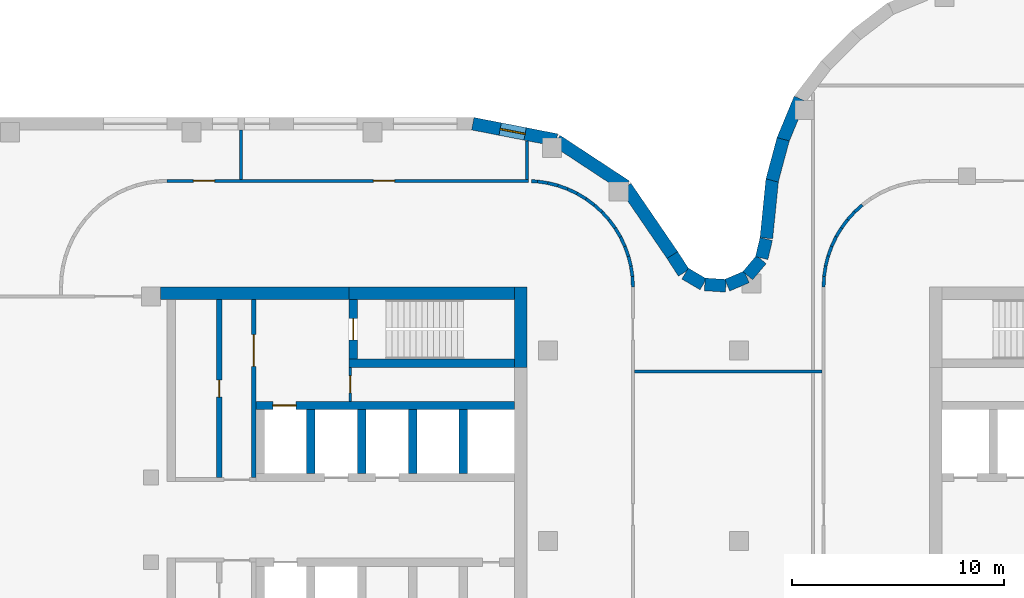
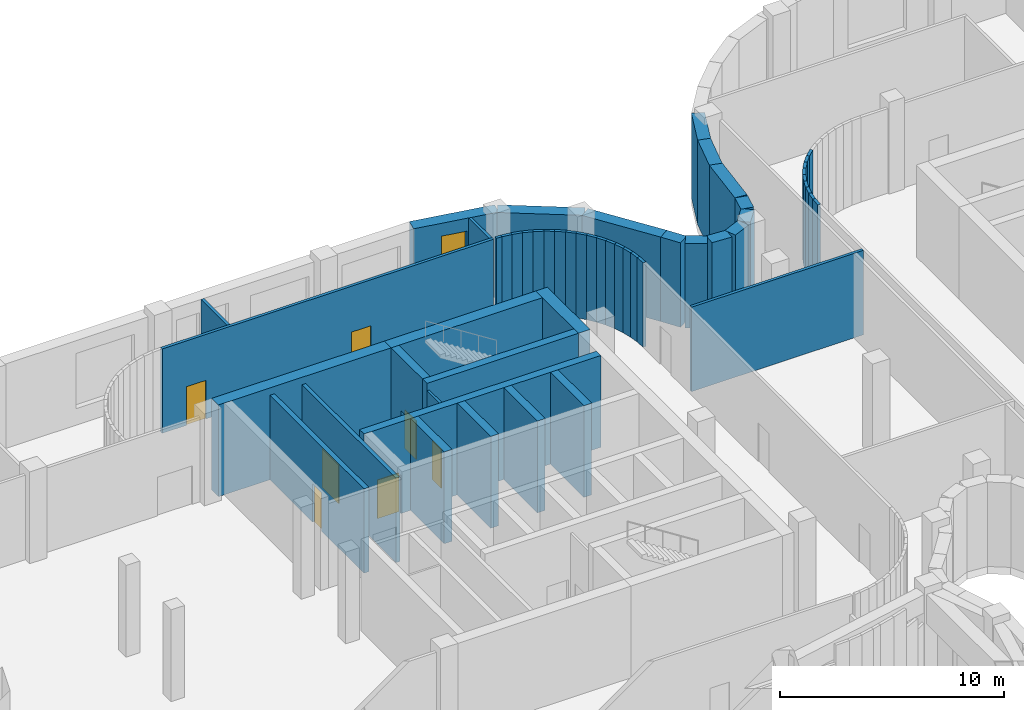
# One storey, part 13 of 20: 54 walls, 7 doors, 1 window, 8 openings.
"""IFC4 building model written with IfcOpenShell, lengths in metres."""

from ifc_helpers import new_model, si_unit, direction, frame, frame_2d, origin, place, context, subcontext, project, spatial, rectangle, extrude, material, layer, layer_set, type_object, element, fill, save


model = new_model("IFC4")

# Units and contexts
model_context = context("Model", 3, precision=1e-05, world=origin(), true_north=direction((0.0, 1.0)))
body_context = subcontext(model_context, "Body", "Model", "MODEL_VIEW")
ifc_project = project(units=[si_unit("LENGTHUNIT", "METRE"), si_unit("AREAUNIT", "SQUARE_METRE"), si_unit("VOLUMEUNIT", "CUBIC_METRE"), si_unit("PLANEANGLEUNIT", "RADIAN"), si_unit("MASSUNIT", "GRAM", prefix="KILO")], contexts=[model_context])

# Site, building, storey
site_placement = place(None, origin())
site = spatial("IfcSite", under=ifc_project, at=site_placement, CompositionType="ELEMENT")
building_placement = place(site_placement, origin())
building = spatial("IfcBuilding", under=site, at=building_placement, Name="Skarvind Civic Tower", CompositionType="ELEMENT")
storey_placement = place(building_placement, frame((0.0, 0.0, 17.5)))
storey = spatial("IfcBuildingStorey", under=building, at=storey_placement, Name="L03", CompositionType="ELEMENT", Elevation=17.5)

# Wall, opening, door
ifc_material_1 = material(Name="Fire-rated masonry partition", Category="masonry")
ifc_layer_1 = layer(ifc_material_1, 0.199951171875)
ifc_layer_set_1 = layer_set([ifc_layer_1], Name="Core enclosure wall 200")
wall_type_1 = type_object("IfcWallType", Name="Core enclosure wall 200", PredefinedType="PARTITIONING", material=ifc_layer_set_1)
wall_1_placement = place(storey_placement, frame((95.10009765625, 130.0, 0.0), z_axis=(0.0, 0.0, 1.0), x_axis=(0.0, 1.0, 0.0)))
wall_1 = element("IfcWall", 1, at=wall_1_placement, inside=storey, type_object=wall_type_1, Name="Core wall C1", PredefinedType="PARTITIONING", context=body_context, shape_type="SweptSolid", body=[
    extrude(rectangle(XDim=8.39990234375, YDim=0.199951171875, at=frame_2d((4.199951171875, 0.0))), origin(), (0.0, 0.0, 1.0), 4.60009765625),
])
opening_1_placement = place(wall_1_placement, frame((5.25, 0.0, 0.0)))
opening_1 = element("IfcOpeningElement", 2, at=opening_1_placement, cuts=wall_1, Name="Opening D-L03-C1-12", PredefinedType="OPENING", context=body_context, shape_type="SweptSolid", body=[
    extrude(rectangle(XDim=1.5, YDim=2.10009765625, at=frame_2d((0.75, 1.050048828125))), frame((0.0, 0.10986328125, 0.0), z_axis=(0.0, -1.0, 0.0), x_axis=(1.0, 0.0, 0.0)), (0.0, 0.0, 1.0), 0.219970703125),
])
ifc_material_2 = material(Name="Fire-rated steel door", Category="steel")
door_type_1 = type_object("IfcDoorType", Name="Fire door 1500", OperationType="NOTDEFINED", PredefinedType="DOOR", material=ifc_material_2)
door_1_placement = place(opening_1_placement, origin())
door_1 = element("IfcDoor", 3, at=door_1_placement, inside=storey, type_object=door_type_1, Name="Fire door", OperationType="DOUBLE_DOOR_SINGLE_SWING", OverallHeight=2.10009765625, OverallWidth=1.5, PredefinedType="DOOR", context=body_context, shape_type="SweptSolid", body=[
    extrude(rectangle(XDim=1.5, YDim=2.10009765625, at=frame_2d((0.75, 1.050048828125))), frame((0.0, 0.02490234375, 0.0), z_axis=(0.0, -1.0, 0.0), x_axis=(1.0, 0.0, 0.0)), (0.0, 0.0, 1.0), 0.050048828125),
])
fill(opening_1, door_1)

# Wall
ifc_material_3 = material(Name="Concrete C80", Category="concrete")
ifc_layer_2 = layer(ifc_material_3, 0.39990234375)
ifc_layer_set_2 = layer_set([ifc_layer_2], Name="Core wall 400 C80")
wall_type_2 = type_object("IfcWallType", Name="Core wall 400 C80", PredefinedType="SHEAR", material=ifc_layer_set_2)
wall_2_placement = place(storey_placement, frame((107.39990234375, 135.39990234375, 0.0), z_axis=(0.0, 0.0, 1.0), x_axis=(-1.0, 0.0, 0.0)))
element("IfcWall", 4, at=wall_2_placement, inside=storey, type_object=wall_type_2, Name="Core wall C1 south stair inner L03", PredefinedType="SHEAR", context=body_context, shape_type="SweptSolid", body=[
    extrude(rectangle(XDim=7.7998046875, YDim=0.39990234375, at=frame_2d((3.89990234375, 0.0))), origin(), (0.0, 0.0, 1.0), 5.0),
])

# Wall, opening, door
wall_3_placement = place(storey_placement, frame((99.800048828125, 138.39990234375, 0.0), z_axis=(0.0, 0.0, 1.0), x_axis=(0.0, -1.0, 0.0)))
wall_3 = element("IfcWall", 5, at=wall_3_placement, inside=storey, type_object=wall_type_2, Name="Core wall C1 south stair end L03", PredefinedType="SHEAR", context=body_context, shape_type="SweptSolid", body=[
    extrude(rectangle(XDim=2.7998046875, YDim=0.39990234375, at=frame_2d((1.39990234375, 0.0))), origin(), (0.0, 0.0, 1.0), 5.0),
])
opening_2_placement = place(wall_3_placement, frame((0.89990234375, 0.0, 0.0)))
opening_2 = element("IfcOpeningElement", 6, at=opening_2_placement, cuts=wall_3, Name="Opening D-L03-C1-13", PredefinedType="OPENING", context=body_context, shape_type="SweptSolid", body=[
    extrude(rectangle(XDim=1.0, YDim=2.10009765625, at=frame_2d((0.5, 1.050048828125))), frame((0.0, 0.2099609375, 0.0), z_axis=(0.0, -1.0, 0.0), x_axis=(1.0, 0.0, 0.0)), (0.0, 0.0, 1.0), 0.419921875),
])
door_type_2 = type_object("IfcDoorType", Name="Fire door 1000", OperationType="NOTDEFINED", PredefinedType="DOOR", material=ifc_material_2)
door_2_placement = place(opening_2_placement, origin())
door_2 = element("IfcDoor", 7, at=door_2_placement, inside=storey, type_object=door_type_2, Name="Fire door", OperationType="SINGLE_SWING_RIGHT", OverallHeight=2.10009765625, OverallWidth=1.0, PredefinedType="DOOR", context=body_context, shape_type="SweptSolid", body=[
    extrude(rectangle(XDim=1.0, YDim=2.10009765625, at=frame_2d((0.5, 1.050048828125))), frame((0.0, 0.02490234375, 0.0), z_axis=(0.0, -1.0, 0.0), x_axis=(1.0, 0.0, 0.0)), (0.0, 0.0, 1.0), 0.050048828125),
])
fill(opening_2, door_2)

wall_4_placement = place(storey_placement, frame((107.39990234375, 133.39990234375, 0.0), z_axis=(0.0, 0.0, 1.0), x_axis=(-1.0, 0.0, 0.0)))
wall_4 = element("IfcWall", 8, at=wall_4_placement, inside=storey, type_object=wall_type_2, Name="Core wall C1 south lift row back L03", PredefinedType="SHEAR", context=body_context, shape_type="SweptSolid", body=[
    extrude(rectangle(XDim=12.199951171875, YDim=0.39990234375, at=frame_2d((6.10009765625, 0.0))), origin(), (0.0, 0.0, 1.0), 5.0),
])
opening_3_placement = place(wall_4_placement, frame((10.300048828125, 0.0, 0.0)))
opening_3 = element("IfcOpeningElement", 9, at=opening_3_placement, cuts=wall_4, Name="Opening LD05110", PredefinedType="OPENING", context=body_context, shape_type="SweptSolid", body=[
    extrude(rectangle(XDim=1.10009765625, YDim=2.10009765625, at=frame_2d((0.550048828125, 1.050048828125))), frame((0.0, 0.2099609375, 0.0), z_axis=(0.0, -1.0, 0.0), x_axis=(1.0, 0.0, 0.0)), (0.0, 0.0, 1.0), 0.419921875),
])
ifc_material_4 = material(Name="Stainless steel landing door", Category="steel")
door_type_3 = type_object("IfcDoorType", Name="Lift landing door 1100", OperationType="DOUBLE_DOOR_SLIDING", PredefinedType="DOOR", material=ifc_material_4)
door_3_placement = place(opening_3_placement, origin())
door_3 = element("IfcDoor", 10, at=door_3_placement, inside=storey, type_object=door_type_3, Name="Lift landing door", OperationType="DOUBLE_DOOR_SLIDING", OverallHeight=2.10009765625, OverallWidth=1.10009765625, PredefinedType="DOOR", context=body_context, shape_type="SweptSolid", body=[
    extrude(rectangle(XDim=1.10009765625, YDim=2.10009765625, at=frame_2d((0.550048828125, 1.050048828125))), frame((0.0, 0.02490234375, 0.0), z_axis=(0.0, -1.0, 0.0), x_axis=(1.0, 0.0, 0.0)), (0.0, 0.0, 1.0), 0.050048828125),
])
fill(opening_3, door_3)

# Walls
for number, where, z_axis, x_axis, name in (
    (11, (105.0, 133.199951171875, 0.0), (0.0, 0.0, 1.0), (0.0, -1.0, 0.0), "Core wall C1 south lift row division 1 L03"),
    (12, (102.60009765625, 133.199951171875, 0.0), (0.0, 0.0, 1.0), (0.0, -1.0, 0.0), "Core wall C1 south lift row division 2 L03"),
    (13, (100.199951171875, 133.199951171875, 0.0), (0.0, 0.0, 1.0), (0.0, -1.0, 0.0), "Core wall C1 south lift row division 3 L03"),
    (14, (97.800048828125, 133.199951171875, 0.0), (0.0, 0.0, 1.0), (0.0, -1.0, 0.0), "Core wall C1 south lift row division 4 L03"),
):
    element("IfcWall", number, at=place(storey_placement, frame(where, z_axis=z_axis, x_axis=x_axis)), inside=storey, type_object=wall_type_2, Name=name, PredefinedType="SHEAR", context=body_context, shape_type="SweptSolid", body=[
        extrude(rectangle(XDim=3.0, YDim=0.39990234375, at=frame_2d((1.5, 0.0))), origin(), (0.0, 0.0, 1.0), 5.0),
    ])
ifc_layer_3 = layer(ifc_material_3, 0.60009765625)
ifc_layer_set_3 = layer_set([ifc_layer_3], Name="Core wall 600 C80")
wall_type_3 = type_object("IfcWallType", Name="Core wall 600 C80", PredefinedType="SHEAR", material=ifc_layer_set_3)
wall_5_placement = place(storey_placement, frame((107.699951171875, 139.0, 0.0), z_axis=(0.0, 0.0, 1.0), x_axis=(0.0, -1.0, 0.0)))
element("IfcWall", 15, at=wall_5_placement, inside=storey, type_object=wall_type_3, Name="Core wall C1 tip at the south stair L03", PredefinedType="SHEAR", context=body_context, shape_type="SweptSolid", body=[
    extrude(rectangle(XDim=3.800048828125, YDim=0.60009765625, at=frame_2d((1.89990234375, 0.0))), origin(), (0.0, 0.0, 1.0), 5.0),
])
wall_6_placement = place(storey_placement, frame((107.39990234375, 138.699951171875, 0.0), z_axis=(0.0, 0.0, 1.0), x_axis=(-1.0, 0.0, 0.0)))
element("IfcWall", 16, at=wall_6_placement, inside=storey, type_object=wall_type_3, Name="Core wall C1 south side at the stair L03", PredefinedType="SHEAR", context=body_context, shape_type="SweptSolid", body=[
    extrude(rectangle(XDim=7.7998046875, YDim=0.60009765625, at=frame_2d((3.89990234375, 0.0))), origin(), (0.0, 0.0, 1.0), 5.0),
])
wall_7_placement = place(storey_placement, frame((99.60009765625, 138.699951171875, 0.0), z_axis=(0.0, 0.0, 1.0), x_axis=(-1.0, 0.0, 0.0)))
element("IfcWall", 17, at=wall_7_placement, inside=storey, type_object=wall_type_3, Name="Core wall C1 south side L03", PredefinedType="SHEAR", context=body_context, shape_type="SweptSolid", body=[
    extrude(rectangle(XDim=8.900146484375, YDim=0.60009765625, at=frame_2d((4.4501953125, 0.0))), origin(), (0.0, 0.0, 1.0), 5.0),
])

# Wall, openings, doors
ifc_material_5 = material(Name="Plasterboard partition on steel studs", Category="steel")
ifc_layer_4 = layer(ifc_material_5, 0.14990234375)
ifc_layer_set_4 = layer_set([ifc_layer_4], Name="PARTITION 150")
wall_type_4 = type_object("IfcWallType", Name="PARTITION 150", PredefinedType="PARTITIONING", material=ifc_layer_set_4)
wall_8_placement = place(storey_placement, frame((90.998046875, 144.0, 0.0), z_axis=(0.0, 0.0, 1.0), x_axis=(1.0, 0.0, 0.0)))
wall_8 = element("IfcWall", 18, at=wall_8_placement, inside=storey, type_object=wall_type_4, Name="Podium partition L03 186", PredefinedType="PARTITIONING", context=body_context, shape_type="SweptSolid", body=[
    extrude(rectangle(XDim=17.076904296875, YDim=0.14990234375, at=frame_2d((8.53857421875, 0.0))), origin(), (0.0, 0.0, 1.0), 4.60009765625),
])
opening_4_placement = place(wall_8_placement, frame((1.25390625, 0.0, 0.0)))
opening_4 = element("IfcOpeningElement", 19, at=opening_4_placement, cuts=wall_8, Name="Opening L03-D227", PredefinedType="OPENING", context=body_context, shape_type="SweptSolid", body=[
    extrude(rectangle(XDim=1.0, YDim=2.10009765625, at=frame_2d((0.5, 1.050048828125))), frame((0.0, 0.0849609375, 0.0), z_axis=(0.0, -1.0, 0.0), x_axis=(1.0, 0.0, 0.0)), (0.0, 0.0, 1.0), 0.169921875),
])
opening_5_placement = place(wall_8_placement, frame((9.75, 0.0, 0.0)))
opening_5 = element("IfcOpeningElement", 20, at=opening_5_placement, cuts=wall_8, Name="Opening L03-D229", PredefinedType="OPENING", context=body_context, shape_type="SweptSolid", body=[
    extrude(rectangle(XDim=1.0, YDim=2.10009765625, at=frame_2d((0.5, 1.050048828125))), frame((0.0, 0.0849609375, 0.0), z_axis=(0.0, -1.0, 0.0), x_axis=(1.0, 0.0, 0.0)), (0.0, 0.0, 1.0), 0.169921875),
])
ifc_material_6 = material(Name="Timber veneer door leaf", Category="wood")
door_type_4 = type_object("IfcDoorType", Name="DOOR 1000X2100 TIMBER", OperationType="NOTDEFINED", PredefinedType="DOOR", material=ifc_material_6)
door_4_placement = place(opening_4_placement, origin())
door_4 = element("IfcDoor", 21, at=door_4_placement, inside=storey, type_object=door_type_4, Name="DOOR DOOR", OperationType="SINGLE_SWING_LEFT", OverallHeight=2.10009765625, OverallWidth=1.0, PredefinedType="DOOR", context=body_context, shape_type="SweptSolid", body=[
    extrude(rectangle(XDim=1.0, YDim=2.10009765625, at=frame_2d((0.5, 1.050048828125))), frame((0.0, 0.02490234375, 0.0), z_axis=(0.0, -1.0, 0.0), x_axis=(1.0, 0.0, 0.0)), (0.0, 0.0, 1.0), 0.050048828125),
])
fill(opening_4, door_4)
door_5_placement = place(opening_5_placement, origin())
door_5 = element("IfcDoor", 22, at=door_5_placement, inside=storey, type_object=door_type_4, Name="DOOR DOOR", OperationType="SINGLE_SWING_LEFT", OverallHeight=2.10009765625, OverallWidth=1.0, PredefinedType="DOOR", context=body_context, shape_type="SweptSolid", body=[
    extrude(rectangle(XDim=1.0, YDim=2.10009765625, at=frame_2d((0.5, 1.050048828125))), frame((0.0, 0.02490234375, 0.0), z_axis=(0.0, -1.0, 0.0), x_axis=(1.0, 0.0, 0.0)), (0.0, 0.0, 1.0), 0.050048828125),
])
fill(opening_5, door_5)

# Walls
wall_9_placement = place(storey_placement, frame((94.5, 144.074951171875, 0.0), z_axis=(0.0, 0.0, 1.0), x_axis=(0.0, 1.0, 0.0)))
element("IfcWall", 23, at=wall_9_placement, inside=storey, type_object=wall_type_4, Name="Podium partition L03 188", PredefinedType="PARTITIONING", context=body_context, shape_type="SweptSolid", body=[
    extrude(rectangle(XDim=2.324951171875, YDim=0.14990234375, at=frame_2d((1.16259765625, 0.0))), origin(), (0.0, 0.0, 1.0), 4.60009765625),
])
wall_10_placement = place(storey_placement, frame((108.0, 144.074951171875, 0.0), z_axis=(0.0, 0.0, 1.0), x_axis=(0.0, 1.0, 0.0)))
element("IfcWall", 24, at=wall_10_placement, inside=storey, type_object=wall_type_4, Name="Podium partition L03 196", PredefinedType="PARTITIONING", context=body_context, shape_type="SweptSolid", body=[
    extrude(rectangle(XDim=1.822998046875, YDim=0.14990234375, at=frame_2d((0.91162109375, 0.0))), origin(), (0.0, 0.0, 1.0), 4.60009765625),
])
wall_11_placement = place(storey_placement, frame((108.214111328125, 143.989990234375, 0.0), z_axis=(0.0, 0.0, 1.0), x_axis=(0.99876534507, -0.049676810357, 0.0)))
element("IfcWall", 25, at=wall_11_placement, inside=storey, type_object=wall_type_4, Name="Podium partition L03 197", PredefinedType="PARTITIONING", context=body_context, shape_type="SweptSolid", body=[
    extrude(rectangle(XDim=0.280029296875, YDim=0.14990234375, at=frame_2d((0.14013671875, 0.0))), origin(), (0.0, 0.0, 1.0), 4.60009765625),
])
wall_12_placement = place(storey_placement, frame((108.486083984375, 143.97705078125, 0.0), z_axis=(0.0, 0.0, 1.0), x_axis=(0.988925572052, -0.148412307247, 0.0)))
element("IfcWall", 26, at=wall_12_placement, inside=storey, type_object=wall_type_4, Name="Podium partition L03 199", PredefinedType="PARTITIONING", context=body_context, shape_type="SweptSolid", body=[
    extrude(rectangle(XDim=0.49853515625, YDim=0.14990234375, at=frame_2d((0.249267578125, 0.0))), origin(), (0.0, 0.0, 1.0), 4.60009765625),
])
wall_13_placement = place(storey_placement, frame((108.970947265625, 143.905029296875, 0.0), z_axis=(0.0, 0.0, 1.0), x_axis=(0.970113715952, -0.242650732785, 0.0)))
element("IfcWall", 27, at=wall_13_placement, inside=storey, type_object=wall_type_4, Name="Podium partition L03 202", PredefinedType="PARTITIONING", context=body_context, shape_type="SweptSolid", body=[
    extrude(rectangle(XDim=0.4990234375, YDim=0.14990234375, at=frame_2d((0.24951171875, 0.0))), origin(), (0.0, 0.0, 1.0), 4.60009765625),
])
for number, where, z_axis, x_axis, name in (
    (28, (109.447021484375, 143.785888671875, 0.0), (0.0, 0.0, 1.0), (0.941442168887, -0.3371744988, 0.0), "Podium partition L03 204"),
    (29, (109.909912109375, 143.62109375, 0.0), (0.0, 0.0, 1.0), (0.903827641978, -0.427896709028, 0.0), "Podium partition L03 207"),
):
    element("IfcWall", number, at=place(storey_placement, frame(where, z_axis=z_axis, x_axis=x_axis)), inside=storey, type_object=wall_type_4, Name=name, PredefinedType="PARTITIONING", context=body_context, shape_type="SweptSolid", body=[
        extrude(rectangle(XDim=0.498046875, YDim=0.14990234375, at=frame_2d((0.2490234375, 0.0))), origin(), (0.0, 0.0, 1.0), 4.60009765625),
    ])
wall_14_placement = place(storey_placement, frame((110.35400390625, 143.412109375, 0.0), z_axis=(0.0, 0.0, 1.0), x_axis=(0.85671397893, -0.515791778052, 0.0)))
element("IfcWall", 30, at=wall_14_placement, inside=storey, type_object=wall_type_4, Name="Podium partition L03 209", PredefinedType="PARTITIONING", context=body_context, shape_type="SweptSolid", body=[
    extrude(rectangle(XDim=0.49853515625, YDim=0.14990234375, at=frame_2d((0.249267578125, 0.0))), origin(), (0.0, 0.0, 1.0), 4.60009765625),
])
wall_15_placement = place(storey_placement, frame((110.77490234375, 143.158935546875, 0.0), z_axis=(0.0, 0.0, 1.0), x_axis=(0.80404358372, -0.594570362092, 0.0)))
element("IfcWall", 31, at=wall_15_placement, inside=storey, type_object=wall_type_4, Name="Podium partition L03 212", PredefinedType="PARTITIONING", context=body_context, shape_type="SweptSolid", body=[
    extrude(rectangle(XDim=0.49755859375, YDim=0.14990234375, at=frame_2d((0.248779296875, 0.0))), origin(), (0.0, 0.0, 1.0), 4.60009765625),
])
for number, where, z_axis, x_axis, name in (
    (32, (111.1689453125, 142.866943359375, 0.0), (0.0, 0.0, 1.0), (0.742416880587, -0.66993818776, 0.0), "Podium partition L03 215"),
    (33, (111.532958984375, 142.5390625, 0.0), (0.0, 0.0, 1.0), (0.66993818776, -0.742416880587, 0.0), "Podium partition L03 218"),
):
    element("IfcWall", number, at=place(storey_placement, frame(where, z_axis=z_axis, x_axis=x_axis)), inside=storey, type_object=wall_type_4, Name=name, PredefinedType="PARTITIONING", context=body_context, shape_type="SweptSolid", body=[
        extrude(rectangle(XDim=0.49853515625, YDim=0.14990234375, at=frame_2d((0.249267578125, 0.0))), origin(), (0.0, 0.0, 1.0), 4.60009765625),
    ])
wall_16_placement = place(storey_placement, frame((111.863037109375, 142.175048828125, 0.0), z_axis=(0.0, 0.0, 1.0), x_axis=(0.594570362092, -0.80404358372, 0.0)))
element("IfcWall", 34, at=wall_16_placement, inside=storey, type_object=wall_type_4, Name="Podium partition L03 220", PredefinedType="PARTITIONING", context=body_context, shape_type="SweptSolid", body=[
    extrude(rectangle(XDim=0.49755859375, YDim=0.14990234375, at=frame_2d((0.248779296875, 0.0))), origin(), (0.0, 0.0, 1.0), 4.60009765625),
])
wall_17_placement = place(storey_placement, frame((112.155029296875, 141.781005859375, 0.0), z_axis=(0.0, 0.0, 1.0), x_axis=(0.515791778052, -0.85671397893, 0.0)))
element("IfcWall", 35, at=wall_17_placement, inside=storey, type_object=wall_type_4, Name="Podium partition L03 222", PredefinedType="PARTITIONING", context=body_context, shape_type="SweptSolid", body=[
    extrude(rectangle(XDim=0.49853515625, YDim=0.14990234375, at=frame_2d((0.249267578125, 0.0))), origin(), (0.0, 0.0, 1.0), 4.60009765625),
])
for number, where, z_axis, x_axis, name in (
    (36, (112.407958984375, 141.360107421875, 0.0), (0.0, 0.0, 1.0), (0.427896709028, -0.903827641978, 0.0), "Podium partition L03 224"),
    (37, (112.617919921875, 140.916015625, 0.0), (0.0, 0.0, 1.0), (0.3371744988, -0.941442168887, 0.0), "Podium partition L03 226"),
):
    element("IfcWall", number, at=place(storey_placement, frame(where, z_axis=z_axis, x_axis=x_axis)), inside=storey, type_object=wall_type_4, Name=name, PredefinedType="PARTITIONING", context=body_context, shape_type="SweptSolid", body=[
        extrude(rectangle(XDim=0.498046875, YDim=0.14990234375, at=frame_2d((0.2490234375, 0.0))), origin(), (0.0, 0.0, 1.0), 4.60009765625),
    ])
wall_18_placement = place(storey_placement, frame((112.783935546875, 140.455078125, 0.0), z_axis=(0.0, 0.0, 1.0), x_axis=(0.242650732785, -0.970113715952, 0.0)))
element("IfcWall", 38, at=wall_18_placement, inside=storey, type_object=wall_type_4, Name="Podium partition L03 228", PredefinedType="PARTITIONING", context=body_context, shape_type="SweptSolid", body=[
    extrude(rectangle(XDim=0.4990234375, YDim=0.14990234375, at=frame_2d((0.24951171875, 0.0))), origin(), (0.0, 0.0, 1.0), 4.60009765625),
])
wall_19_placement = place(storey_placement, frame((112.903076171875, 139.97900390625, 0.0), z_axis=(0.0, 0.0, 1.0), x_axis=(0.148412307247, -0.988925572052, 0.0)))
element("IfcWall", 39, at=wall_19_placement, inside=storey, type_object=wall_type_4, Name="Podium partition L03 230", PredefinedType="PARTITIONING", context=body_context, shape_type="SweptSolid", body=[
    extrude(rectangle(XDim=0.49853515625, YDim=0.14990234375, at=frame_2d((0.249267578125, 0.0))), origin(), (0.0, 0.0, 1.0), 4.60009765625),
])
wall_20_placement = place(storey_placement, frame((112.97607421875, 139.493896484375, 0.0), z_axis=(0.0, 0.0, 1.0), x_axis=(0.048196018647, -0.998837896651, 0.0)))
element("IfcWall", 40, at=wall_20_placement, inside=storey, type_object=wall_type_4, Name="Podium partition L03 232", PredefinedType="PARTITIONING", context=body_context, shape_type="SweptSolid", body=[
    extrude(rectangle(XDim=0.496337890625, YDim=0.14990234375, at=frame_2d((0.248046875, 0.0))), origin(), (0.0, 0.0, 1.0), 4.60009765625),
])
wall_21_placement = place(storey_placement, frame((113.074951171875, 135.0, 0.0), z_axis=(0.0, 0.0, 1.0), x_axis=(1.0, 0.0, 0.0)))
element("IfcWall", 41, at=wall_21_placement, inside=storey, type_object=wall_type_4, Name="Podium partition L03 235", PredefinedType="PARTITIONING", context=body_context, shape_type="SweptSolid", body=[
    extrude(rectangle(XDim=8.85009765625, YDim=0.14990234375, at=frame_2d((4.425048828125, 0.0))), origin(), (0.0, 0.0, 1.0), 4.60009765625),
])
wall_22_placement = place(storey_placement, frame((122.0, 138.998046875, 0.0), z_axis=(0.0, 0.0, 1.0), x_axis=(0.048196018647, 0.998837896651, 0.0)))
element("IfcWall", 42, at=wall_22_placement, inside=storey, type_object=wall_type_4, Name="Podium partition L03 241", PredefinedType="PARTITIONING", context=body_context, shape_type="SweptSolid", body=[
    extrude(rectangle(XDim=0.496337890625, YDim=0.14990234375, at=frame_2d((0.248046875, 0.0))), origin(), (0.0, 0.0, 1.0), 4.60009765625),
])
wall_23_placement = place(storey_placement, frame((122.02294921875, 139.486083984375, 0.0), z_axis=(0.0, 0.0, 1.0), x_axis=(0.148412307247, 0.988925572052, 0.0)))
element("IfcWall", 43, at=wall_23_placement, inside=storey, type_object=wall_type_4, Name="Podium partition L03 243", PredefinedType="PARTITIONING", context=body_context, shape_type="SweptSolid", body=[
    extrude(rectangle(XDim=0.49853515625, YDim=0.14990234375, at=frame_2d((0.249267578125, 0.0))), origin(), (0.0, 0.0, 1.0), 4.60009765625),
])
wall_24_placement = place(storey_placement, frame((122.094970703125, 139.970947265625, 0.0), z_axis=(0.0, 0.0, 1.0), x_axis=(0.242650732785, 0.970113715952, 0.0)))
element("IfcWall", 44, at=wall_24_placement, inside=storey, type_object=wall_type_4, Name="Podium partition L03 245", PredefinedType="PARTITIONING", context=body_context, shape_type="SweptSolid", body=[
    extrude(rectangle(XDim=0.4990234375, YDim=0.14990234375, at=frame_2d((0.24951171875, 0.0))), origin(), (0.0, 0.0, 1.0), 4.60009765625),
])
for number, where, z_axis, x_axis, name in (
    (45, (122.214111328125, 140.447021484375, 0.0), (0.0, 0.0, 1.0), (0.3371744988, 0.941442168887, 0.0), "Podium partition L03 247"),
    (46, (122.37890625, 140.909912109375, 0.0), (0.0, 0.0, 1.0), (0.427896709028, 0.903827641978, 0.0), "Podium partition L03 249"),
):
    element("IfcWall", number, at=place(storey_placement, frame(where, z_axis=z_axis, x_axis=x_axis)), inside=storey, type_object=wall_type_4, Name=name, PredefinedType="PARTITIONING", context=body_context, shape_type="SweptSolid", body=[
        extrude(rectangle(XDim=0.498046875, YDim=0.14990234375, at=frame_2d((0.2490234375, 0.0))), origin(), (0.0, 0.0, 1.0), 4.60009765625),
    ])
wall_25_placement = place(storey_placement, frame((122.587890625, 141.35400390625, 0.0), z_axis=(0.0, 0.0, 1.0), x_axis=(0.515791778052, 0.85671397893, 0.0)))
element("IfcWall", 47, at=wall_25_placement, inside=storey, type_object=wall_type_4, Name="Podium partition L03 251", PredefinedType="PARTITIONING", context=body_context, shape_type="SweptSolid", body=[
    extrude(rectangle(XDim=0.49853515625, YDim=0.14990234375, at=frame_2d((0.249267578125, 0.0))), origin(), (0.0, 0.0, 1.0), 4.60009765625),
])
wall_26_placement = place(storey_placement, frame((122.841064453125, 141.77490234375, 0.0), z_axis=(0.0, 0.0, 1.0), x_axis=(0.594570362092, 0.80404358372, 0.0)))
element("IfcWall", 48, at=wall_26_placement, inside=storey, type_object=wall_type_4, Name="Podium partition L03 253", PredefinedType="PARTITIONING", context=body_context, shape_type="SweptSolid", body=[
    extrude(rectangle(XDim=0.49755859375, YDim=0.14990234375, at=frame_2d((0.248779296875, 0.0))), origin(), (0.0, 0.0, 1.0), 4.60009765625),
])
for number, where, z_axis, x_axis, name in (
    (49, (123.133056640625, 142.1689453125, 0.0), (0.0, 0.0, 1.0), (0.66993818776, 0.742416880587, 0.0), "Podium partition L03 255"),
    (50, (123.4609375, 142.532958984375, 0.0), (0.0, 0.0, 1.0), (0.742416880587, 0.66993818776, 0.0), "Podium partition L03 257"),
):
    element("IfcWall", number, at=place(storey_placement, frame(where, z_axis=z_axis, x_axis=x_axis)), inside=storey, type_object=wall_type_4, Name=name, PredefinedType="PARTITIONING", context=body_context, shape_type="SweptSolid", body=[
        extrude(rectangle(XDim=0.49853515625, YDim=0.14990234375, at=frame_2d((0.249267578125, 0.0))), origin(), (0.0, 0.0, 1.0), 4.60009765625),
    ])

# Wall, opening, door
ifc_layer_5 = layer(ifc_material_1, 0.125)
ifc_layer_set_5 = layer_set([ifc_layer_5], Name="Riser wall 125")
wall_type_5 = type_object("IfcWallType", Name="Riser wall 125", PredefinedType="PARTITIONING", material=ifc_layer_set_5)
wall_27_placement = place(storey_placement, frame((99.66259765625, 133.60009765625, 0.0), z_axis=(0.0, 0.0, 1.0), x_axis=(0.0, 1.0, 0.0)))
wall_27 = element("IfcWall", 51, at=wall_27_placement, inside=storey, type_object=wall_type_5, Name="Core wall C1", PredefinedType="PARTITIONING", context=body_context, shape_type="SweptSolid", body=[
    extrude(rectangle(XDim=1.599853515625, YDim=0.125, at=frame_2d((0.7998046875, 0.0))), origin(), (0.0, 0.0, 1.0), 4.60009765625),
])
opening_6_placement = place(wall_27_placement, frame((0.39990234375, 0.0, 0.0)))
opening_6 = element("IfcOpeningElement", 52, at=opening_6_placement, cuts=wall_27, Name="Opening D-L03-C1-14", PredefinedType="OPENING", context=body_context, shape_type="SweptSolid", body=[
    extrude(rectangle(XDim=0.800048828125, YDim=2.10009765625, at=frame_2d((0.39990234375, 1.050048828125))), frame((0.0, 0.072509765625, 0.0), z_axis=(0.0, -1.0, 0.0), x_axis=(1.0, 0.0, 0.0)), (0.0, 0.0, 1.0), 0.14501953125),
])
door_type_5 = type_object("IfcDoorType", Name="Core riser door 800", OperationType="NOTDEFINED", PredefinedType="DOOR", material=ifc_material_2)
door_6_placement = place(opening_6_placement, origin())
door_6 = element("IfcDoor", 53, at=door_6_placement, inside=storey, type_object=door_type_5, Name="Riser door", OperationType="SINGLE_SWING_LEFT", OverallHeight=2.10009765625, OverallWidth=0.800048828125, PredefinedType="DOOR", context=body_context, shape_type="SweptSolid", body=[
    extrude(rectangle(XDim=0.800048828125, YDim=2.10009765625, at=frame_2d((0.39990234375, 1.050048828125))), frame((0.0, 0.02490234375, 0.0), z_axis=(0.0, -1.0, 0.0), x_axis=(1.0, 0.0, 0.0)), (0.0, 0.0, 1.0), 0.050048828125),
])
fill(opening_6, door_6)

ifc_layer_6 = layer(ifc_material_1, 0.25)
ifc_layer_set_6 = layer_set([ifc_layer_6], Name="Service block wall 250")
wall_type_6 = type_object("IfcWallType", Name="Service block wall 250", PredefinedType="PARTITIONING", material=ifc_layer_set_6)
wall_28_placement = place(storey_placement, frame((93.47509765625, 130.0, 0.0), z_axis=(0.0, 0.0, 1.0), x_axis=(0.0, 1.0, 0.0)))
wall_28 = element("IfcWall", 54, at=wall_28_placement, inside=storey, type_object=wall_type_6, Name="Core wall C1", PredefinedType="PARTITIONING", context=body_context, shape_type="SweptSolid", body=[
    extrude(rectangle(XDim=8.39990234375, YDim=0.25, at=frame_2d((4.199951171875, 0.0))), origin(), (0.0, 0.0, 1.0), 4.60009765625),
])
opening_7_placement = place(wall_28_placement, frame((3.800048828125, 0.0, 0.0)))
opening_7 = element("IfcOpeningElement", 55, at=opening_7_placement, cuts=wall_28, Name="Opening D-L03-C1-15", PredefinedType="OPENING", context=body_context, shape_type="SweptSolid", body=[
    extrude(rectangle(XDim=0.800048828125, YDim=2.10009765625, at=frame_2d((0.39990234375, 1.050048828125))), frame((0.0, 0.135009765625, 0.0), z_axis=(0.0, -1.0, 0.0), x_axis=(1.0, 0.0, 0.0)), (0.0, 0.0, 1.0), 0.27001953125),
])
door_7_placement = place(opening_7_placement, origin())
door_7 = element("IfcDoor", 56, at=door_7_placement, inside=storey, type_object=door_type_5, Name="Riser door", OperationType="SINGLE_SWING_RIGHT", OverallHeight=2.10009765625, OverallWidth=0.800048828125, PredefinedType="DOOR", context=body_context, shape_type="SweptSolid", body=[
    extrude(rectangle(XDim=0.800048828125, YDim=2.10009765625, at=frame_2d((0.39990234375, 1.050048828125))), frame((0.0, 0.02490234375, 0.0), z_axis=(0.0, -1.0, 0.0), x_axis=(1.0, 0.0, 0.0)), (0.0, 0.0, 1.0), 0.050048828125),
])
fill(opening_7, door_7)

# Walls
ifc_material_7 = material(Name="Limestone masonry cladding on insulated backing", Category="masonry")
ifc_layer_7 = layer(ifc_material_7, 0.60009765625)
ifc_layer_set_7 = layer_set([ifc_layer_7], Name="WX1 STONE FACADE WALL 600")
wall_type_7 = type_object("IfcWallType", Name="WX1 STONE FACADE WALL 600", PredefinedType="SOLIDWALL", material=ifc_layer_set_7)
wall_29_placement = place(storey_placement, frame((120.078857421875, 145.9306640625, 0.0), z_axis=(0.0, 0.0, 1.0), x_axis=(0.382375593358, 0.924006983526, 0.0)))
element("IfcWall", 57, at=wall_29_placement, inside=storey, type_object=wall_type_7, Name="STONE FACADE WALL", PredefinedType="SOLIDWALL", context=body_context, shape_type="SweptSolid", body=[
    extrude(rectangle(XDim=2.114013671875, YDim=0.60009765625, at=frame_2d((1.05712890625, 0.0))), origin(), (0.0, 0.0, 1.0), 4.60009765625),
])
wall_30_placement = place(storey_placement, frame((119.570556640625, 144.023681640625, 0.0), z_axis=(0.0, 0.0, 1.0), x_axis=(0.25888565912, 0.965907974655, 0.0)))
element("IfcWall", 58, at=wall_30_placement, inside=storey, type_object=wall_type_7, Name="STONE FACADE WALL", PredefinedType="SOLIDWALL", context=body_context, shape_type="SweptSolid", body=[
    extrude(rectangle(XDim=2.012451171875, YDim=0.60009765625, at=frame_2d((1.00634765625, 0.0))), origin(), (0.0, 0.0, 1.0), 4.60009765625),
])
wall_31_placement = place(storey_placement, frame((119.298583984375, 141.298095703125, 0.0), z_axis=(0.0, 0.0, 1.0), x_axis=(0.100121632527, 0.994975205068, 0.0)))
element("IfcWall", 59, at=wall_31_placement, inside=storey, type_object=wall_type_7, Name="STONE FACADE WALL", PredefinedType="SOLIDWALL", context=body_context, shape_type="SweptSolid", body=[
    extrude(rectangle(XDim=2.77734375, YDim=0.60009765625, at=frame_2d((1.388671875, 0.0))), origin(), (0.0, 0.0, 1.0), 4.60009765625),
])
wall_32_placement = place(storey_placement, frame((119.077392578125, 140.35791015625, 0.0), z_axis=(0.0, 0.0, 1.0), x_axis=(0.231477954295, 0.972840149601, 0.0)))
element("IfcWall", 60, at=wall_32_placement, inside=storey, type_object=wall_type_7, Name="STONE FACADE WALL", PredefinedType="SOLIDWALL", context=body_context, shape_type="SweptSolid", body=[
    extrude(rectangle(XDim=0.926025390625, YDim=0.60009765625, at=frame_2d((0.462890625, 0.0))), origin(), (0.0, 0.0, 1.0), 4.60009765625),
])
for number, where, z_axis, x_axis, name in (
    (61, (118.41748046875, 139.526123046875, 0.0), (0.0, 0.0, 1.0), (0.644897785416, 0.764268831215, 0.0), "STONE FACADE WALL"),
    (62, (117.45361328125, 139.080810546875, 0.0), (0.0, 0.0, 1.0), (0.920017434001, 0.391877431265, 0.0), "STONE FACADE WALL"),
    (63, (116.392578125, 139.1171875, 0.0), (0.0, 0.0, 1.0), (0.997920735219, -0.064453131965, 0.0), "STONE FACADE WALL"),
    (64, (115.46142578125, 139.62744140625, 0.0), (0.0, 0.0, 1.0), (0.861915314468, -0.507052256365, 0.0), "STONE FACADE WALL"),
):
    element("IfcWall", number, at=place(storey_placement, frame(where, z_axis=z_axis, x_axis=x_axis)), inside=storey, type_object=wall_type_7, Name=name, PredefinedType="SOLIDWALL", context=body_context, shape_type="SweptSolid", body=[
        extrude(rectangle(XDim=0.99609375, YDim=0.60009765625, at=frame_2d((0.498046875, 0.0))), origin(), (0.0, 0.0, 1.0), 4.60009765625),
    ])
wall_33_placement = place(storey_placement, frame((114.860107421875, 140.50244140625, 0.0), z_axis=(0.0, 0.0, 1.0), x_axis=(0.541339592117, -0.84080404733, 0.0)))
element("IfcWall", 65, at=wall_33_placement, inside=storey, type_object=wall_type_7, Name="STONE FACADE WALL", PredefinedType="SOLIDWALL", context=body_context, shape_type="SweptSolid", body=[
    extrude(rectangle(XDim=0.996337890625, YDim=0.60009765625, at=frame_2d((0.498046875, 0.0))), origin(), (0.0, 0.0, 1.0), 4.60009765625),
])
wall_34_placement = place(storey_placement, frame((112.660888671875, 143.7197265625, 0.0), z_axis=(0.0, 0.0, 1.0), x_axis=(0.564314082571, -0.825560183277, 0.0)))
element("IfcWall", 66, at=wall_34_placement, inside=storey, type_object=wall_type_7, Name="STONE FACADE WALL", PredefinedType="SOLIDWALL", context=body_context, shape_type="SweptSolid", body=[
    extrude(rectangle(XDim=3.9052734375, YDim=0.60009765625, at=frame_2d((1.95263671875, 0.0))), origin(), (0.0, 0.0, 1.0), 4.60009765625),
])
wall_35_placement = place(storey_placement, frame((109.4013671875, 145.899658203125, 0.0), z_axis=(0.0, 0.0, 1.0), x_axis=(0.835543958523, -0.549423601037, 0.0)))
element("IfcWall", 67, at=wall_35_placement, inside=storey, type_object=wall_type_7, Name="STONE FACADE WALL", PredefinedType="SOLIDWALL", context=body_context, shape_type="SweptSolid", body=[
    extrude(rectangle(XDim=3.905517578125, YDim=0.60009765625, at=frame_2d((1.95263671875, 0.0))), origin(), (0.0, 0.0, 1.0), 4.60009765625),
])

# Wall, opening, window
wall_36_placement = place(storey_placement, frame((105.4404296875, 146.70166015625, 0.0), z_axis=(0.0, 0.0, 1.0), x_axis=(0.981593603981, -0.190981665674, 0.0)))
wall_36 = element("IfcWall", 68, at=wall_36_placement, inside=storey, type_object=wall_type_7, Name="STONE FACADE WALL", PredefinedType="SOLIDWALL", context=body_context, shape_type="SweptSolid", body=[
    extrude(rectangle(XDim=4.025390625, YDim=0.60009765625, at=frame_2d((2.0126953125, 0.0))), origin(), (0.0, 0.0, 1.0), 4.60009765625),
])
opening_8_placement = place(wall_36_placement, frame((1.31591796875, 0.0, 0.89990234375)))
opening_8 = element("IfcOpeningElement", 69, at=opening_8_placement, cuts=wall_36, Name="Opening WN6", PredefinedType="OPENING", context=body_context, shape_type="SweptSolid", body=[
    extrude(rectangle(XDim=1.199951171875, YDim=3.0, at=frame_2d((0.60009765625, 1.5))), frame((0.0, 0.31005859375, 0.0), z_axis=(0.0, -1.0, 0.0), x_axis=(1.0, 0.0, 0.0)), (0.0, 0.0, 1.0), 0.6201171875),
])
ifc_material_8 = material(Name="Timber frame, double glazing, timber-lined reveal", Category="wood")
window_type = type_object("IfcWindowType", Name="WN6 NARROW PODIUM WINDOW 1200 x 3000", PartitioningType="SINGLE_PANEL", PredefinedType="WINDOW", material=ifc_material_8)
window_placement = place(opening_8_placement, origin())
window = element("IfcWindow", 70, at=window_placement, inside=storey, type_object=window_type, Name="WN6 WINDOW", OverallHeight=3.0, OverallWidth=1.199951171875, PartitioningType="SINGLE_PANEL", PredefinedType="WINDOW", context=body_context, shape_type="SweptSolid", body=[
    extrude(rectangle(XDim=1.199951171875, YDim=3.0, at=frame_2d((0.60009765625, 1.5))), frame((0.0, 0.030029296875, 0.0), z_axis=(0.0, -1.0, 0.0), x_axis=(1.0, 0.0, 0.0)), (0.0, 0.0, 1.0), 0.06005859375),
])
fill(opening_8, window)

save(model, "model.ifc")
